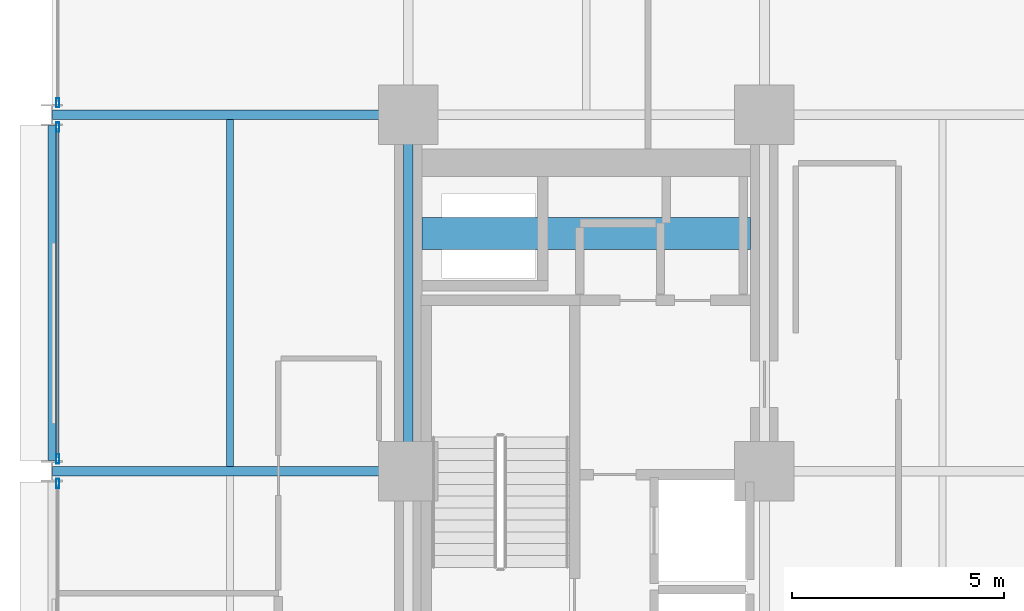
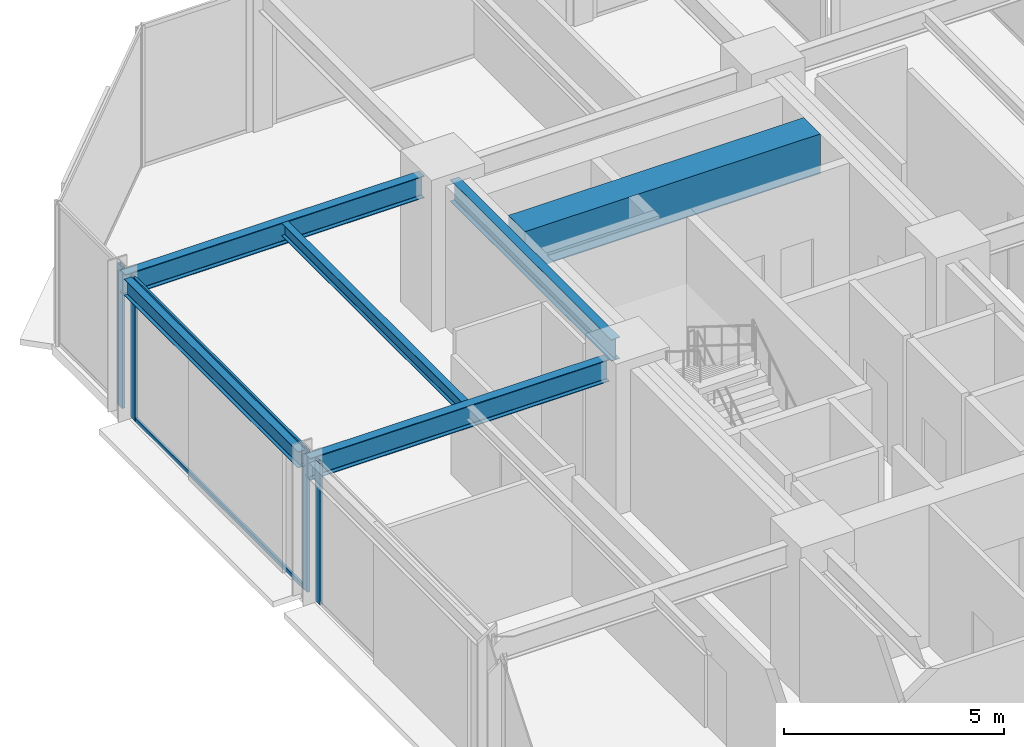
# One storey, part 14 of 25: 6 beams, 6 members, 3 elements without a shape of their own.
"""IFC4 building model written with IfcOpenShell, lengths in metres."""

from ifc_helpers import new_model, si_unit, direction, frame, origin, origin_2d, place, context, subcontext, project, spatial, rectangle, hollow_rectangle, i_section, extrude, material, layer, layer_set, material_profile, profile_set, type_object, element, aggregate, save


model = new_model("IFC4")

# Units and contexts
model_context = context("Model", 3, precision=1e-05, world=origin(), true_north=direction((0.0, 1.0)))
body_context = subcontext(model_context, "Body", "Model", "MODEL_VIEW")
ifc_project = project(units=[si_unit("LENGTHUNIT", "METRE"), si_unit("AREAUNIT", "SQUARE_METRE"), si_unit("VOLUMEUNIT", "CUBIC_METRE"), si_unit("PLANEANGLEUNIT", "RADIAN"), si_unit("MASSUNIT", "GRAM", prefix="KILO")], contexts=[model_context])

# Site, building, storey
site_placement = place(None, origin())
site = spatial("IfcSite", under=ifc_project, at=site_placement, CompositionType="ELEMENT")
building_placement = place(site_placement, origin())
building = spatial("IfcBuilding", under=site, at=building_placement, Name="Nerrivon Quay Data Exchange", CompositionType="ELEMENT")
storey_placement = place(building_placement, frame((0.0, 0.0, 54.199951171875)))
storey = spatial("IfcBuildingStorey", under=building, at=storey_placement, Name="L12", CompositionType="ELEMENT", Elevation=54.199951171875)

# Beams
ifc_material_1 = material(Name="Concrete S65 (65 MPa)", Category="concrete")
ifc_material_profile_1 = material_profile(ifc_material_1, rectangle(XDim=0.75, YDim=1.10009765625, at=origin_2d()), Name="RC-CB-750x1100")
ifc_profile_set_1 = profile_set([ifc_material_profile_1], Name="Concrete S65 (65 MPa)")
beam_type_1 = type_object("IfcBeamType", Name="BM-CB1-750x1100", PredefinedType="LINTEL", material=ifc_profile_set_1)
beam_1_placement = place(storey_placement, frame((8.72509765625, 39.199951171875, 3.375), z_axis=(1.0, 0.0, 0.0), x_axis=(0.0, 1.0, 0.0)))
element("IfcBeam", 1, at=beam_1_placement, inside=storey, type_object=beam_type_1, Name="L12 West Core Coupling Beam", PredefinedType="LINTEL", context=body_context, shape_type="SweptSolid", body=[
    extrude(rectangle(XDim=0.75, YDim=1.10009765625, at=origin_2d()), origin(), (0.0, 0.0, 1.0), 7.75),
])
ifc_material_2 = material(Name="Steel Grade 350", Category="steel")
ifc_material_profile_2 = material_profile(ifc_material_2, i_section(OverallWidth=0.22900390625, OverallDepth=0.612060546875, WebThickness=0.011962890625, FlangeThickness=0.01953125, FilletRadius=0.013916015625, at=origin_2d()), Name="610UB125")
ifc_profile_set_2 = profile_set([ifc_material_profile_2], Name="Steel Grade 350")
beam_type_2 = type_object("IfcBeamType", Name="BM-G1-610UB125", PredefinedType="BEAM", material=ifc_profile_set_2)
for number, where, z_axis, x_axis, name in (
    (2, (0.013916015625, 33.60009765625, 3.619140625), (1.0, 0.0, 0.0), (0.0, 1.0, 0.0), "L12 EW Girder Y=33.6 (0.0..8.4)"),
    (3, (0.013916015625, 42.0, 3.619140625), (1.0, 0.0, 0.0), (0.0, 1.0, 0.0), "L12 EW Girder Y=42.0 (0.0..8.4)"),
):
    element("IfcBeam", number, at=place(storey_placement, frame(where, z_axis=z_axis, x_axis=x_axis)), inside=storey, type_object=beam_type_2, Name=name, PredefinedType="BEAM", context=body_context, shape_type="SweptSolid", body=[
        extrude(i_section(OverallWidth=0.22900390625, OverallDepth=0.612060546875, WebThickness=0.011962890625, FlangeThickness=0.01953125, FilletRadius=0.013916015625, at=origin_2d()), origin(), (0.0, 0.0, 1.0), 7.84619140625),
    ])
ifc_material_profile_3 = material_profile(ifc_material_2, i_section(OverallWidth=0.22802734375, OverallDepth=0.60205078125, WebThickness=0.010498046875, FlangeThickness=0.014892578125, FilletRadius=0.013916015625, at=origin_2d()), Name="610UB101")
ifc_profile_set_3 = profile_set([ifc_material_profile_3], Name="Steel Grade 350")
beam_type_3 = type_object("IfcBeamType", Name="BM-G2-610UB101", PredefinedType="BEAM", material=ifc_profile_set_3)
beam_2_placement = place(storey_placement, frame((8.39990234375, 34.139892578125, 3.6240234375), z_axis=(0.0, 1.0, 0.0), x_axis=(-1.0, 0.0, 0.0)))
element("IfcBeam", 4, at=beam_2_placement, inside=storey, type_object=beam_type_3, Name="L12 NS Girder X=8.4 (33.6..42.0)", PredefinedType="BEAM", context=body_context, shape_type="SweptSolid", body=[
    extrude(i_section(OverallWidth=0.22802734375, OverallDepth=0.60205078125, WebThickness=0.010498046875, FlangeThickness=0.014892578125, FilletRadius=0.013916015625, at=origin_2d()), origin(), (0.0, 0.0, 1.0), 7.320068359375),
])
ifc_material_profile_4 = material_profile(ifc_material_2, i_section(OverallWidth=0.172119140625, OverallDepth=0.35888671875, WebThickness=0.008056640625, FlangeThickness=0.012939453125, FilletRadius=0.011474609375, at=origin_2d()), Name="360UB56.7")
ifc_profile_set_4 = profile_set([ifc_material_profile_4], Name="Steel Grade 350")
beam_type_4 = type_object("IfcBeamType", Name="BM-J3-360UB57", PredefinedType="JOIST", material=ifc_profile_set_4)
beam_3_placement = place(storey_placement, frame((4.199951171875, 33.714599609375, 3.74560546875), z_axis=(0.0, 1.0, 0.0), x_axis=(-1.0, 0.0, 0.0)))
element("IfcBeam", 5, at=beam_3_placement, inside=storey, type_object=beam_type_4, Name="L12 Secondary Joist X=4.2 (33.6..42.0)", PredefinedType="JOIST", context=body_context, shape_type="SweptSolid", body=[
    extrude(i_section(OverallWidth=0.172119140625, OverallDepth=0.35888671875, WebThickness=0.008056640625, FlangeThickness=0.012939453125, FilletRadius=0.011474609375, at=origin_2d()), origin(), (0.0, 0.0, 1.0), 8.1708984375),
])
ifc_material_profile_5 = material_profile(ifc_material_2, i_section(OverallWidth=0.18994140625, OverallDepth=0.4541015625, WebThickness=0.008544921875, FlangeThickness=0.0126953125, FilletRadius=0.011474609375, at=origin_2d()), Name="460UB67.1")
ifc_profile_set_5 = profile_set([ifc_material_profile_5], Name="Steel Grade 350")
beam_type_5 = type_object("IfcBeamType", Name="BM-SP1-460UB67", PredefinedType="SPANDREL", material=ifc_profile_set_5)
beam_4_placement = place(storey_placement, frame((0.0, 33.85009765625, 3.697998046875), z_axis=(0.0, 1.0, 0.0), x_axis=(-1.0, 0.0, 0.0)))
element("IfcBeam", 6, at=beam_4_placement, inside=storey, type_object=beam_type_5, Name="L12 NS Girder X=0.0 (33.6..42.0)", PredefinedType="SPANDREL", context=body_context, shape_type="SweptSolid", body=[
    extrude(i_section(OverallWidth=0.18994140625, OverallDepth=0.4541015625, WebThickness=0.008544921875, FlangeThickness=0.0126953125, FilletRadius=0.011474609375, at=origin_2d()), origin(), (0.0, 0.0, 1.0), 7.89990234375),
])

# Curtain wall, member
ifc_material_3 = material(Name="Anodised aluminium 6063-T6", Category="aluminium")
ifc_layer = layer(ifc_material_3, 0.219970703125)
ifc_layer_set = layer_set([ifc_layer], Name="Anodised aluminium 6063-T6")
curtain_wall_type = type_object("IfcCurtainWallType", Name="CW-SYS-01", PredefinedType="NOTDEFINED", material=ifc_layer_set)
curtain_wall_1_placement = place(storey_placement, origin())
curtain_wall_1 = element("IfcCurtainWall", 7, at=curtain_wall_1_placement, inside=storey, type_object=curtain_wall_type, Name="L12 Unitised Curtain Wall 16", PredefinedType="NOTDEFINED")
ifc_material_profile_6 = material_profile(ifc_material_3, hollow_rectangle(XDim=0.074951171875, YDim=0.219970703125, WallThickness=0.00390625, at=origin_2d()), Name="ALU-MULL-220x75")
ifc_profile_set_6 = profile_set([ifc_material_profile_6], Name="Anodised aluminium 6063-T6")
member_type_1 = type_object("IfcMemberType", Name="CWM-220x75", PredefinedType="MULLION", material=ifc_profile_set_6)
member_1_placement = place(storey_placement, frame((0.139892578125, 33.3125, 0.0), z_axis=(0.0, 0.0, 1.0), x_axis=(-1.0, 0.0, 0.0)))
member_1 = element("IfcMember", 8, at=member_1_placement, type_object=member_type_1, Name="CW01 mullion 2", PredefinedType="MULLION", context=body_context, shape_type="SweptSolid", body=[
    extrude(hollow_rectangle(XDim=0.074951171875, YDim=0.219970703125, WallThickness=0.00390625, at=origin_2d()), origin(), (0.0, 0.0, 1.0), 3.925048828125),
])
aggregate(curtain_wall_1, [member_1])

# Curtain wall, members
curtain_wall_2_placement = place(storey_placement, origin())
curtain_wall_2 = element("IfcCurtainWall", 9, at=curtain_wall_2_placement, inside=storey, type_object=curtain_wall_type, Name="L12 Unitised Curtain Wall 17", PredefinedType="NOTDEFINED")
member_2_placement = place(storey_placement, frame((0.139892578125, 33.887451171875, 0.0), z_axis=(0.0, 0.0, 1.0), x_axis=(-1.0, 0.0, 0.0)))
member_2 = element("IfcMember", 10, at=member_2_placement, type_object=member_type_1, Name="CW01 mullion 1", PredefinedType="MULLION", context=body_context, shape_type="SweptSolid", body=[
    extrude(hollow_rectangle(XDim=0.074951171875, YDim=0.219970703125, WallThickness=0.00390625, at=origin_2d()), origin(), (0.0, 0.0, 1.0), 3.925048828125),
])
member_3_placement = place(storey_placement, frame((0.139892578125, 41.71240234375, 0.0), z_axis=(0.0, 0.0, 1.0), x_axis=(-1.0, 0.0, 0.0)))
member_3 = element("IfcMember", 11, at=member_3_placement, type_object=member_type_1, Name="CW01 mullion 2", PredefinedType="MULLION", context=body_context, shape_type="SweptSolid", body=[
    extrude(hollow_rectangle(XDim=0.074951171875, YDim=0.219970703125, WallThickness=0.00390625, at=origin_2d()), origin(), (0.0, 0.0, 1.0), 3.925048828125),
])

# Curtain wall, member
curtain_wall_3_placement = place(storey_placement, origin())
curtain_wall_3 = element("IfcCurtainWall", 12, at=curtain_wall_3_placement, inside=storey, type_object=curtain_wall_type, Name="L12 Unitised Curtain Wall 18", PredefinedType="NOTDEFINED")
member_4_placement = place(storey_placement, frame((0.139892578125, 42.28759765625, 0.0), z_axis=(0.0, 0.0, 1.0), x_axis=(-1.0, 0.0, 0.0)))
member_4 = element("IfcMember", 13, at=member_4_placement, type_object=member_type_1, Name="CW01 mullion 1", PredefinedType="MULLION", context=body_context, shape_type="SweptSolid", body=[
    extrude(hollow_rectangle(XDim=0.074951171875, YDim=0.219970703125, WallThickness=0.00390625, at=origin_2d()), origin(), (0.0, 0.0, 1.0), 3.925048828125),
])
aggregate(curtain_wall_3, [member_4])

# Member
ifc_material_profile_7 = material_profile(ifc_material_3, hollow_rectangle(XDim=0.06005859375, YDim=0.1201171875, WallThickness=0.003173828125, at=origin_2d()), Name="ALU-TRAN-120x60")
ifc_profile_set_7 = profile_set([ifc_material_profile_7], Name="Anodised aluminium 6063-T6")
member_type_2 = type_object("IfcMemberType", Name="CWT-120x60", PredefinedType="USERDEFINED", material=ifc_profile_set_7)
member_5_placement = place(storey_placement, frame((0.139892578125, 33.925048828125, 0.032470703125), z_axis=(0.0, 1.0, 0.0), x_axis=(-1.0, 0.0, 0.0)))
member_5 = element("IfcMember", 14, at=member_5_placement, type_object=member_type_2, Name="CW01 transom 1.1", ObjectType="TRANSOM", PredefinedType="USERDEFINED", context=body_context, shape_type="SweptSolid", body=[
    extrude(hollow_rectangle(XDim=0.06005859375, YDim=0.1201171875, WallThickness=0.003173828125, at=origin_2d()), origin(), (0.0, 0.0, 1.0), 7.75),
])

member_6_placement = place(storey_placement, frame((0.139892578125, 33.925048828125, 3.892578125), z_axis=(0.0, 1.0, 0.0), x_axis=(-1.0, 0.0, 0.0)))
member_6 = element("IfcMember", 15, at=member_6_placement, type_object=member_type_2, Name="CW01 transom 1.2", ObjectType="TRANSOM", PredefinedType="USERDEFINED", context=body_context, shape_type="SweptSolid", body=[
    extrude(hollow_rectangle(XDim=0.06005859375, YDim=0.1201171875, WallThickness=0.003173828125, at=origin_2d()), origin(), (0.0, 0.0, 1.0), 7.75),
])

aggregate(curtain_wall_2, [member_2, member_3, member_5, member_6])

save(model, "model.ifc")
